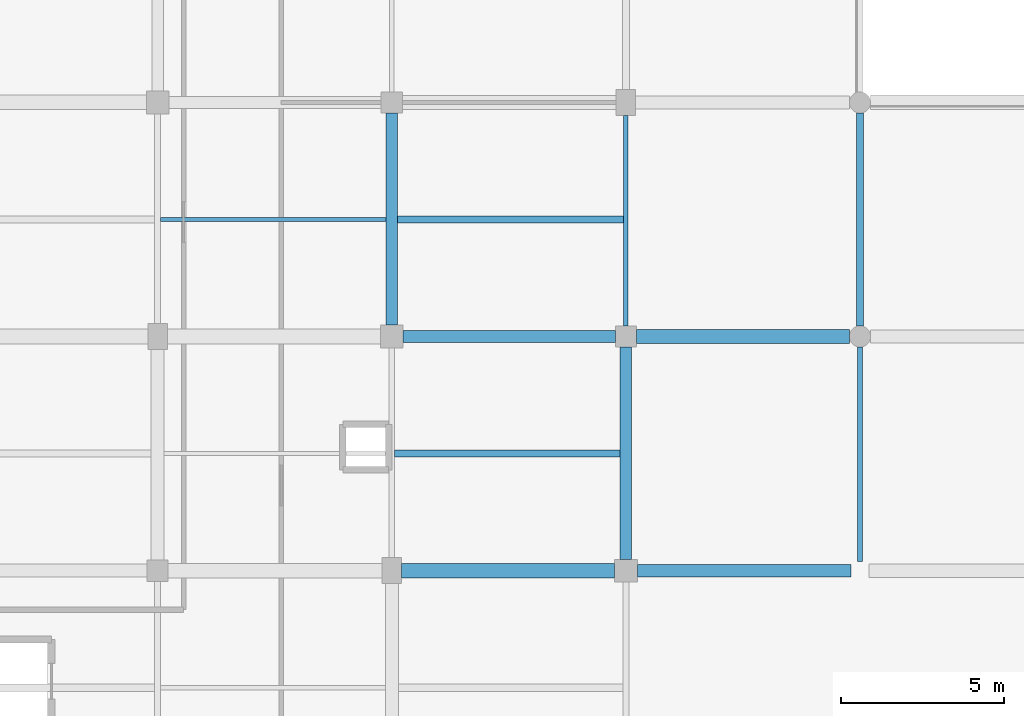
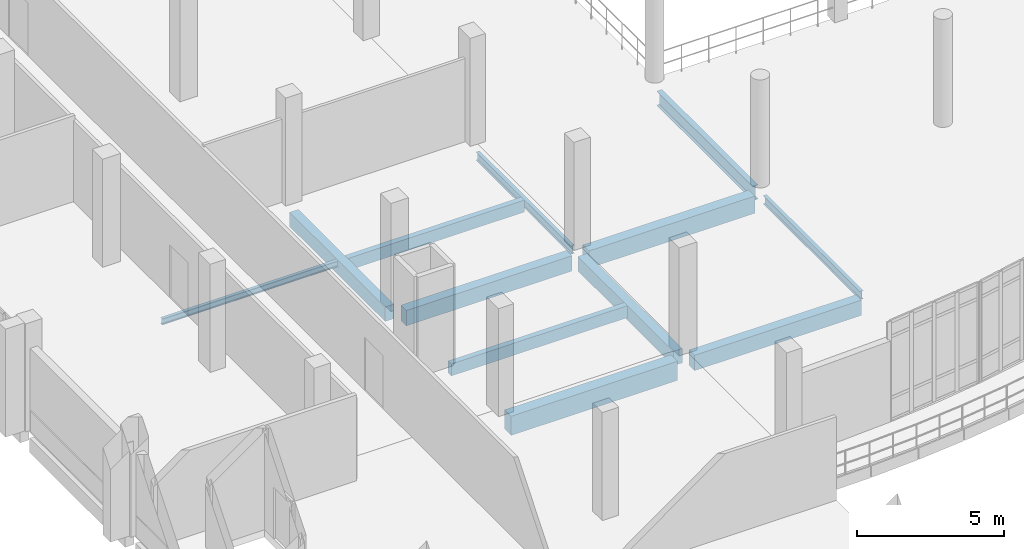
# One storey, part 35 of 116: 12 beams.
"""IFC4 building model written with IfcOpenShell, lengths in metres."""

from ifc_helpers import new_model, si_unit, direction, frame, origin, origin_2d, place, context, subcontext, project, spatial, rectangle, i_section, extrude, material, material_profile, profile_set, type_object, element, save


model = new_model("IFC4")

# Units and contexts
model_context = context("Model", 3, precision=1e-05, world=origin(), true_north=direction((0.0, 1.0)))
body_context = subcontext(model_context, "Body", "Model", "MODEL_VIEW")
ifc_project = project(units=[si_unit("LENGTHUNIT", "METRE"), si_unit("AREAUNIT", "SQUARE_METRE"), si_unit("VOLUMEUNIT", "CUBIC_METRE"), si_unit("PLANEANGLEUNIT", "RADIAN"), si_unit("MASSUNIT", "GRAM", prefix="KILO")], contexts=[model_context])

# Site, building, storey
site_placement = place(None, origin())
site = spatial("IfcSite", under=ifc_project, at=site_placement, CompositionType="ELEMENT")
building_placement = place(site_placement, origin())
building = spatial("IfcBuilding", under=site, at=building_placement, Name="Kalluvel Institute of Natural Sciences", CompositionType="ELEMENT")
storey_placement = place(building_placement, frame((0.0, 0.0, 14.39990234375)))
storey = spatial("IfcBuildingStorey", under=building, at=storey_placement, Name="L03", CompositionType="ELEMENT", Elevation=14.39990234375)

# Beams
ifc_material_1 = material(Name="Steel E350 Grade 350", Category="steel")
ifc_material_profile_1 = material_profile(ifc_material_1, i_section(OverallWidth=0.139892578125, OverallDepth=0.35009765625, WebThickness=0.008056640625, FlangeThickness=0.01416015625, FilletRadius=0.013916015625, at=origin_2d()), Name="ISMB 350")
ifc_profile_set_1 = profile_set([ifc_material_profile_1], Name="Steel E350 Grade 350")
beam_type_1 = type_object("IfcBeamType", Name="BM-ISMB350", PredefinedType="BEAM", material=ifc_profile_set_1)
beam_1_placement = place(storey_placement, frame((35.60009765625, 71.925048828125, -0.474853515625), z_axis=(0.0, 1.0, 0.0), x_axis=(-1.0, 0.0, 0.0)))
element("IfcBeam", 1, at=beam_1_placement, inside=storey, type_object=beam_type_1, Name="L03 girder GIR-L03-NS-X356-Y716", PredefinedType="BEAM", context=body_context, shape_type="SweptSolid", body=[
    extrude(i_section(OverallWidth=0.139892578125, OverallDepth=0.35009765625, WebThickness=0.008056640625, FlangeThickness=0.01416015625, FilletRadius=0.013916015625, at=origin_2d()), origin(), (0.0, 0.0, 1.0), 6.474853515625),
])
beam_2_placement = place(storey_placement, frame((42.800048828125, 64.675048828125, -0.494873046875), z_axis=(0.0, 1.0, 0.0), x_axis=(-1.0, 0.0, 0.0)))
element("IfcBeam", 2, at=beam_2_placement, inside=storey, type_object=beam_type_1, Name="L03 girder GIR-L03-NS-X428-Y644", PredefinedType="BEAM", context=body_context, shape_type="SweptSolid", body=[
    extrude(i_section(OverallWidth=0.139892578125, OverallDepth=0.35009765625, WebThickness=0.008056640625, FlangeThickness=0.01416015625, FilletRadius=0.013916015625, at=origin_2d()), origin(), (0.0, 0.0, 1.0), 6.599853515625),
])
ifc_material_profile_2 = material_profile(ifc_material_1, i_section(OverallWidth=0.2099609375, OverallDepth=0.60009765625, WebThickness=0.011962890625, FlangeThickness=0.020751953125, FilletRadius=0.02001953125, at=origin_2d()), Name="ISMB 600")
ifc_profile_set_2 = profile_set([ifc_material_profile_2], Name="Steel E350 Grade 350")
beam_type_2 = type_object("IfcBeamType", Name="BM-ISMB600", PredefinedType="BEAM", material=ifc_profile_set_2)
beam_3_placement = place(storey_placement, frame((42.800048828125, 71.925048828125, -0.619873046875), z_axis=(0.0, 1.0, 0.0), x_axis=(-1.0, 0.0, 0.0)))
element("IfcBeam", 3, at=beam_3_placement, inside=storey, type_object=beam_type_2, Name="L03 girder GIR-L03-NS-X428-Y716", PredefinedType="BEAM", context=body_context, shape_type="SweptSolid", body=[
    extrude(i_section(OverallWidth=0.2099609375, OverallDepth=0.60009765625, WebThickness=0.011962890625, FlangeThickness=0.020751953125, FilletRadius=0.02001953125, at=origin_2d()), origin(), (0.0, 0.0, 1.0), 6.550048828125),
])
ifc_material_2 = material(Name="Concrete M40", Category="concrete")
ifc_material_profile_3 = material_profile(ifc_material_2, rectangle(XDim=0.35009765625, YDim=0.60009765625, at=origin_2d()), Name="RCB 350x600")
ifc_profile_set_3 = profile_set([ifc_material_profile_3], Name="Concrete M40")
beam_type_3 = type_object("IfcBeamType", Name="BM-RC350x600", PredefinedType="BEAM", material=ifc_profile_set_3)
beam_4_placement = place(storey_placement, frame((28.39990234375, 71.949951171875, -0.599853515625), z_axis=(0.0, 1.0, 0.0), x_axis=(-1.0, 0.0, 0.0)))
element("IfcBeam", 4, at=beam_4_placement, inside=storey, type_object=beam_type_3, Name="L03 girder GIR-L03-NS-X284-Y716", PredefinedType="BEAM", context=body_context, shape_type="SweptSolid", body=[
    extrude(rectangle(XDim=0.35009765625, YDim=0.60009765625, at=origin_2d()), origin(), (0.0, 0.0, 1.0), 6.525146484375),
])
beam_5_placement = place(storey_placement, frame((35.60009765625, 64.75, -0.599853515625), z_axis=(0.0, 1.0, 0.0), x_axis=(-1.0, 0.0, 0.0)))
element("IfcBeam", 5, at=beam_5_placement, inside=storey, type_object=beam_type_3, Name="L03 girder GIR-L03-NS-X356-Y644", PredefinedType="BEAM", context=body_context, shape_type="SweptSolid", body=[
    extrude(rectangle(XDim=0.35009765625, YDim=0.60009765625, at=origin_2d()), origin(), (0.0, 0.0, 1.0), 6.52490234375),
])
ifc_material_profile_4 = material_profile(ifc_material_2, rectangle(XDim=0.3798828125, YDim=0.639892578125, at=origin_2d()), Name="RCB 380x640")
ifc_profile_set_4 = profile_set([ifc_material_profile_4], Name="Concrete M40")
beam_type_4 = type_object("IfcBeamType", Name="BM-RC380x640", PredefinedType="BEAM", material=ifc_profile_set_4)
beam_6_placement = place(storey_placement, frame((35.949951171875, 64.39990234375, -0.639892578125), z_axis=(1.0, 0.0, 0.0), x_axis=(0.0, 1.0, 0.0)))
element("IfcBeam", 6, at=beam_6_placement, inside=storey, type_object=beam_type_4, Name="L03 girder GIR-L03-EW-X356-Y644", PredefinedType="BEAM", context=body_context, shape_type="SweptSolid", body=[
    extrude(rectangle(XDim=0.3798828125, YDim=0.639892578125, at=origin_2d()), origin(), (0.0, 0.0, 1.0), 6.574951171875),
])
beam_7_placement = place(storey_placement, frame((28.75, 71.60009765625, -0.619873046875), z_axis=(1.0, 0.0, 0.0), x_axis=(0.0, 1.0, 0.0)))
element("IfcBeam", 7, at=beam_7_placement, inside=storey, type_object=beam_type_4, Name="L03 girder GIR-L03-EW-X284-Y716", PredefinedType="BEAM", context=body_context, shape_type="SweptSolid", body=[
    extrude(rectangle(XDim=0.3798828125, YDim=0.639892578125, at=origin_2d()), origin(), (0.0, 0.0, 1.0), 6.52490234375),
])
ifc_material_profile_5 = material_profile(ifc_material_2, rectangle(XDim=0.419921875, YDim=0.719970703125, at=origin_2d()), Name="RCB 420x720")
ifc_profile_set_5 = profile_set([ifc_material_profile_5], Name="Concrete M40")
beam_type_5 = type_object("IfcBeamType", Name="BM-RC420x720", PredefinedType="BEAM", material=ifc_profile_set_5)
beam_8_placement = place(storey_placement, frame((35.925048828125, 71.60009765625, -0.679931640625), z_axis=(1.0, 0.0, 0.0), x_axis=(0.0, 1.0, 0.0)))
element("IfcBeam", 8, at=beam_8_placement, inside=storey, type_object=beam_type_5, Name="L03 girder GIR-L03-EW-X356-Y716", PredefinedType="BEAM", context=body_context, shape_type="SweptSolid", body=[
    extrude(rectangle(XDim=0.419921875, YDim=0.719970703125, at=origin_2d()), origin(), (0.0, 0.0, 1.0), 6.550048828125),
])
ifc_material_profile_6 = material_profile(ifc_material_2, rectangle(XDim=0.449951171875, YDim=0.800048828125, at=origin_2d()), Name="RCB 450x800")
ifc_profile_set_6 = profile_set([ifc_material_profile_6], Name="Concrete M40")
beam_type_6 = type_object("IfcBeamType", Name="BM-RC450x800", PredefinedType="BEAM", material=ifc_profile_set_6)
beam_9_placement = place(storey_placement, frame((28.699951171875, 64.39990234375, -0.699951171875), z_axis=(1.0, 0.0, 0.0), x_axis=(0.0, 1.0, 0.0)))
element("IfcBeam", 9, at=beam_9_placement, inside=storey, type_object=beam_type_6, Name="L03 girder GIR-L03-EW-X284-Y644", PredefinedType="BEAM", context=body_context, shape_type="SweptSolid", body=[
    extrude(rectangle(XDim=0.449951171875, YDim=0.800048828125, at=origin_2d()), origin(), (0.0, 0.0, 1.0), 6.550048828125),
])
ifc_material_profile_7 = material_profile(ifc_material_2, rectangle(XDim=0.219970703125, YDim=0.5, at=origin_2d()), Name="WAF 220x500")
ifc_profile_set_7 = profile_set([ifc_material_profile_7], Name="Concrete M40")
beam_type_7 = type_object("IfcBeamType", Name="WJ-220x500", PredefinedType="JOIST", material=ifc_profile_set_7)
beam_10_placement = place(storey_placement, frame((28.489990234375, 68.0, -0.5498046875), z_axis=(1.0, 0.0, 0.0), x_axis=(0.0, 1.0, 0.0)))
element("IfcBeam", 10, at=beam_10_placement, inside=storey, type_object=beam_type_7, Name="L03 floor rib RIB-L03-0700", PredefinedType="JOIST", context=body_context, shape_type="SweptSolid", body=[
    extrude(rectangle(XDim=0.219970703125, YDim=0.5, at=origin_2d()), origin(), (0.0, 0.0, 1.0), 6.93505859375),
])
beam_11_placement = place(storey_placement, frame((28.574951171875, 75.199951171875, -0.5498046875), z_axis=(1.0, 0.0, 0.0), x_axis=(0.0, 1.0, 0.0)))
element("IfcBeam", 11, at=beam_11_placement, inside=storey, type_object=beam_type_7, Name="L03 floor rib RIB-L03-0703", PredefinedType="JOIST", context=body_context, shape_type="SweptSolid", body=[
    extrude(rectangle(XDim=0.219970703125, YDim=0.5, at=origin_2d()), origin(), (0.0, 0.0, 1.0), 6.955078125),
])
ifc_material_profile_8 = material_profile(ifc_material_1, i_section(OverallWidth=0.125, OverallDepth=0.25, WebThickness=0.0068359375, FlangeThickness=0.012451171875, FilletRadius=0.012939453125, at=origin_2d()), Name="ISMB 250")
ifc_profile_set_8 = profile_set([ifc_material_profile_8], Name="Steel E350 Grade 350")
beam_type_8 = type_object("IfcBeamType", Name="WJ-ISMB250", PredefinedType="JOIST", material=ifc_profile_set_8)
beam_12_placement = place(storey_placement, frame((21.2900390625, 75.199951171875, -0.4248046875), z_axis=(1.0, 0.0, 0.0), x_axis=(0.0, 1.0, 0.0)))
element("IfcBeam", 12, at=beam_12_placement, inside=storey, type_object=beam_type_8, Name="L03 floor rib RIB-L03-0702", PredefinedType="JOIST", context=body_context, shape_type="SweptSolid", body=[
    extrude(i_section(OverallWidth=0.125, OverallDepth=0.25, WebThickness=0.0068359375, FlangeThickness=0.012451171875, FilletRadius=0.012939453125, at=origin_2d()), origin(), (0.0, 0.0, 1.0), 6.93505859375),
])

save(model, "model.ifc")
